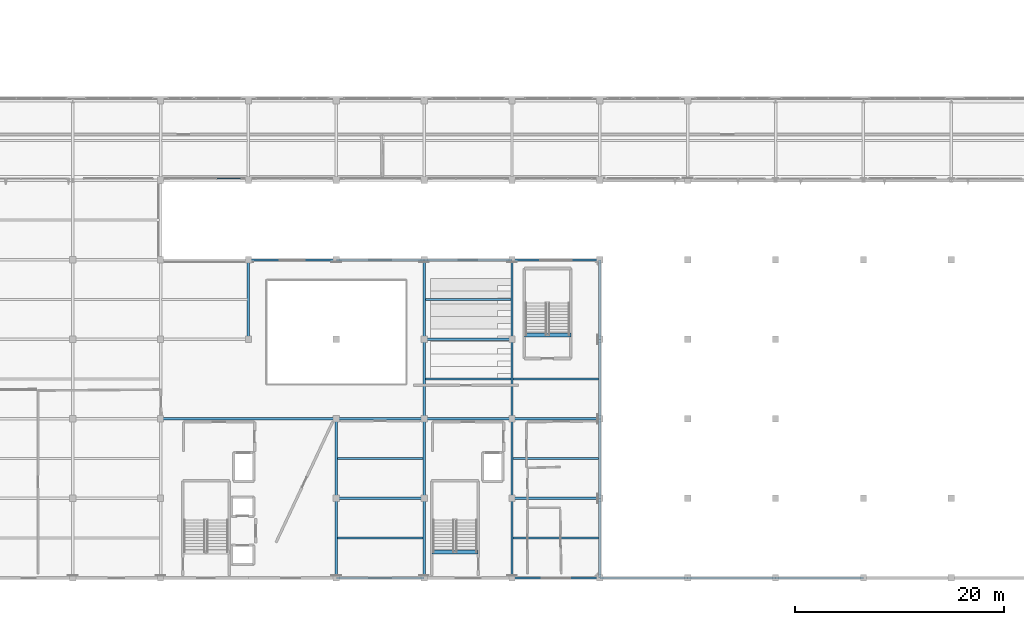
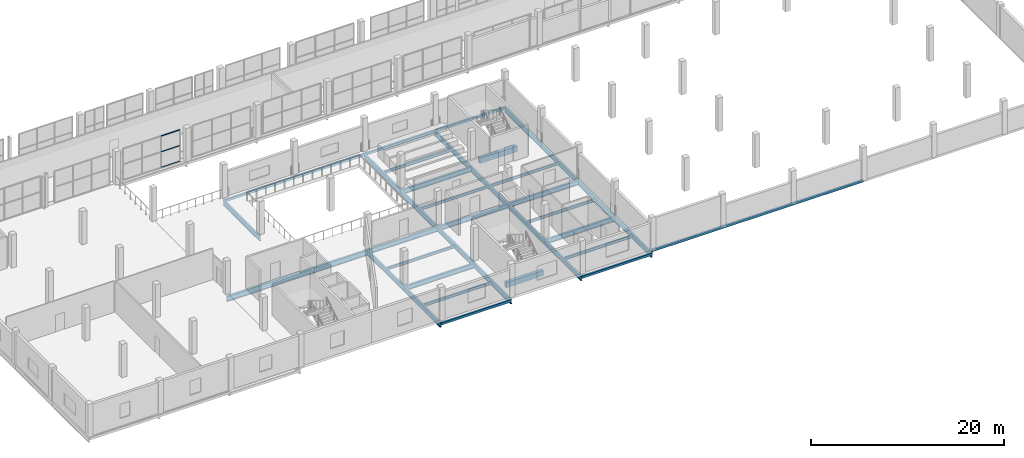
# One storey, part 35 of 151: 40 beams, 3 members, 1 element without a shape of its own.
"""IFC4 building model written with IfcOpenShell, lengths in metres."""

from ifc_helpers import new_model, si_unit, direction, frame, origin, origin_2d, place, context, subcontext, project, spatial, rectangle, hollow_rectangle, i_section, extrude, material, material_profile, profile_set, type_object, element, aggregate, save


model = new_model("IFC4")

# Units and contexts
model_context = context("Model", 3, precision=1e-05, world=origin(), true_north=direction((0.0, 1.0)))
body_context = subcontext(model_context, "Body", "Model", "MODEL_VIEW")
ifc_project = project(units=[si_unit("LENGTHUNIT", "METRE"), si_unit("AREAUNIT", "SQUARE_METRE"), si_unit("VOLUMEUNIT", "CUBIC_METRE"), si_unit("PLANEANGLEUNIT", "RADIAN"), si_unit("MASSUNIT", "GRAM", prefix="KILO")], contexts=[model_context])

# Site, building, storey
site_placement = place(None, origin())
site = spatial("IfcSite", under=ifc_project, at=site_placement, CompositionType="ELEMENT")
building_placement = place(site_placement, origin())
building = spatial("IfcBuilding", under=site, at=building_placement, Name="Zuvorla Pavilion Media Centre", CompositionType="ELEMENT")
storey_placement = place(building_placement, frame((0.0, 0.0, 13.800048828125)))
storey = spatial("IfcBuildingStorey", under=building, at=storey_placement, Name="L03", CompositionType="ELEMENT", Elevation=13.800048828125)

# Beams
ifc_material_1 = material(Name="Concrete C40/50", Category="concrete")
ifc_material_profile_1 = material_profile(ifc_material_1, rectangle(XDim=0.39990234375, YDim=0.64990234375, at=origin_2d()), Name="RC 400x650")
ifc_profile_set_1 = profile_set([ifc_material_profile_1], Name="Concrete C40/50")
beam_type_1 = type_object("IfcBeamType", Name="BM-RC-650", PredefinedType="BEAM", material=ifc_profile_set_1)
for number, where, z_axis, x_axis, name in (
    (1, (92.72998046875, 8.469970703125, -0.323974609375), (1.0, 0.0, 0.0), (0.0, 1.0, 0.0), "L03 ST-02 landing trimmer beam"),
    (2, (101.580078125, 29.219970703125, -0.323974609375), (1.0, 0.0, 0.0), (0.0, 1.0, 0.0), "L03 ST-04 landing trimmer beam"),
):
    element("IfcBeam", number, at=place(storey_placement, frame(where, z_axis=z_axis, x_axis=x_axis)), inside=storey, type_object=beam_type_1, Name=name, PredefinedType="BEAM", context=body_context, shape_type="SweptSolid", body=[
        extrude(rectangle(XDim=0.39990234375, YDim=0.64990234375, at=origin_2d()), origin(), (0.0, 0.0, 1.0), 4.43994140625),
    ])
ifc_material_2 = material(Name="Steel S355", Category="steel")
ifc_material_profile_2 = material_profile(ifc_material_2, hollow_rectangle(XDim=0.199951171875, YDim=0.300048828125, WallThickness=0.012451171875, at=origin_2d()), Name="RHS 300x200x12.5")
ifc_profile_set_2 = profile_set([ifc_material_profile_2], Name="Steel S355")
beam_type_2 = type_object("IfcBeamType", Name="BM-SP-RHS300", PredefinedType="SPANDREL", material=ifc_profile_set_2)
beam_1_placement = place(storey_placement, frame((83.60009765625, 6.0, -0.578125), z_axis=(1.0, 0.0, 0.0), x_axis=(0.0, 1.0, 0.0)))
element("IfcBeam", 3, at=beam_1_placement, inside=storey, type_object=beam_type_2, Name="L03 spandrel SP01 1049", PredefinedType="SPANDREL", context=body_context, shape_type="SweptSolid", body=[
    extrude(hollow_rectangle(XDim=0.199951171875, YDim=0.300048828125, WallThickness=0.012451171875, at=origin_2d()), origin(), (0.0, 0.0, 1.0), 8.39990234375),
])
for number, where, z_axis, x_axis, name in (
    (4, (100.39990234375, 6.0, -0.578125), (1.0, 0.0, 0.0), (0.0, 1.0, 0.0), "L03 spandrel SP01 1050"),
    (5, (75.199951171875, 36.39990234375, -0.578125), (1.0, 0.0, 0.0), (0.0, 1.0, 0.0), "L03 spandrel SP01 1071"),
):
    element("IfcBeam", number, at=place(storey_placement, frame(where, z_axis=z_axis, x_axis=x_axis)), inside=storey, type_object=beam_type_2, Name=name, PredefinedType="SPANDREL", context=body_context, shape_type="SweptSolid", body=[
        extrude(hollow_rectangle(XDim=0.199951171875, YDim=0.300048828125, WallThickness=0.012451171875, at=origin_2d()), origin(), (0.0, 0.0, 1.0), 8.400146484375),
    ])
for number, where, z_axis, x_axis, name in (
    (6, (83.60009765625, 36.39990234375, -0.578125), (1.0, 0.0, 0.0), (0.0, 1.0, 0.0), "L03 spandrel SP01 1072"),
    (7, (92.0, 36.39990234375, -0.578125), (1.0, 0.0, 0.0), (0.0, 1.0, 0.0), "L03 spandrel SP01 1073"),
):
    element("IfcBeam", number, at=place(storey_placement, frame(where, z_axis=z_axis, x_axis=x_axis)), inside=storey, type_object=beam_type_2, Name=name, PredefinedType="SPANDREL", context=body_context, shape_type="SweptSolid", body=[
        extrude(hollow_rectangle(XDim=0.199951171875, YDim=0.300048828125, WallThickness=0.012451171875, at=origin_2d()), origin(), (0.0, 0.0, 1.0), 8.39990234375),
    ])
beam_2_placement = place(storey_placement, frame((100.39990234375, 36.39990234375, -0.578125), z_axis=(1.0, 0.0, 0.0), x_axis=(0.0, 1.0, 0.0)))
element("IfcBeam", 8, at=beam_2_placement, inside=storey, type_object=beam_type_2, Name="L03 spandrel SP01 1074", PredefinedType="SPANDREL", context=body_context, shape_type="SweptSolid", body=[
    extrude(hollow_rectangle(XDim=0.199951171875, YDim=0.300048828125, WallThickness=0.012451171875, at=origin_2d()), origin(), (0.0, 0.0, 1.0), 8.400146484375),
])
beam_3_placement = place(storey_placement, frame((108.800048828125, 6.0, -0.150146484375), z_axis=(1.0, 0.0, 0.0), x_axis=(0.0, 1.0, 0.0)))
element("IfcBeam", 9, at=beam_3_placement, inside=storey, type_object=beam_type_2, Name="L03 spandrel SP01 1768", PredefinedType="SPANDREL", context=body_context, shape_type="SweptSolid", body=[
    extrude(hollow_rectangle(XDim=0.199951171875, YDim=0.300048828125, WallThickness=0.012451171875, at=origin_2d()), origin(), (0.0, 0.0, 1.0), 8.39990234375),
])
beam_4_placement = place(storey_placement, frame((117.199951171875, 6.0, -0.150146484375), z_axis=(1.0, 0.0, 0.0), x_axis=(0.0, 1.0, 0.0)))
element("IfcBeam", 10, at=beam_4_placement, inside=storey, type_object=beam_type_2, Name="L03 spandrel SP01 1769", PredefinedType="SPANDREL", context=body_context, shape_type="SweptSolid", body=[
    extrude(hollow_rectangle(XDim=0.199951171875, YDim=0.300048828125, WallThickness=0.012451171875, at=origin_2d()), origin(), (0.0, 0.0, 1.0), 8.400146484375),
])
beam_5_placement = place(storey_placement, frame((125.60009765625, 6.0, -0.150146484375), z_axis=(1.0, 0.0, 0.0), x_axis=(0.0, 1.0, 0.0)))
element("IfcBeam", 11, at=beam_5_placement, inside=storey, type_object=beam_type_2, Name="L03 spandrel SP01 1770", PredefinedType="SPANDREL", context=body_context, shape_type="SweptSolid", body=[
    extrude(hollow_rectangle(XDim=0.199951171875, YDim=0.300048828125, WallThickness=0.012451171875, at=origin_2d()), origin(), (0.0, 0.0, 1.0), 8.39990234375),
])
ifc_material_profile_3 = material_profile(ifc_material_2, i_section(OverallWidth=0.172119140625, OverallDepth=0.35791015625, WebThickness=0.008056640625, FlangeThickness=0.012939453125, FilletRadius=0.01025390625, at=origin_2d()), Name="UB 356x171x57")
ifc_profile_set_3 = profile_set([ifc_material_profile_3], Name="Steel S355")
beam_type_3 = type_object("IfcBeamType", Name="BM-UB356", PredefinedType="JOIST", material=ifc_profile_set_3)
for number, where, z_axis, x_axis, name in (
    (12, (83.70947265625, 9.800048828125, -0.60693359375), (1.0, 0.0, 0.0), (0.0, 1.0, 0.0), "L03 joist J03 1265"),
    (13, (83.70947265625, 17.39990234375, -0.60693359375), (1.0, 0.0, 0.0), (0.0, 1.0, 0.0), "L03 joist J03 1266"),
    (14, (92.109619140625, 25.0, -0.60693359375), (1.0, 0.0, 0.0), (0.0, 1.0, 0.0), "L03 joist J03 1269"),
    (15, (92.109619140625, 32.60009765625, -0.60693359375), (1.0, 0.0, 0.0), (0.0, 1.0, 0.0), "L03 joist J03 1270"),
    (16, (100.509521484375, 9.800048828125, -0.60693359375), (1.0, 0.0, 0.0), (0.0, 1.0, 0.0), "L03 joist J03 1272"),
    (17, (100.509521484375, 17.39990234375, -0.60693359375), (1.0, 0.0, 0.0), (0.0, 1.0, 0.0), "L03 joist J03 1273"),
    (18, (100.509521484375, 25.0, -0.60693359375), (1.0, 0.0, 0.0), (0.0, 1.0, 0.0), "L03 joist J03 1274"),
):
    element("IfcBeam", number, at=place(storey_placement, frame(where, z_axis=z_axis, x_axis=x_axis)), inside=storey, type_object=beam_type_3, Name=name, PredefinedType="JOIST", context=body_context, shape_type="SweptSolid", body=[
        extrude(i_section(OverallWidth=0.172119140625, OverallDepth=0.35791015625, WebThickness=0.008056640625, FlangeThickness=0.012939453125, FilletRadius=0.01025390625, at=origin_2d()), origin(), (0.0, 0.0, 1.0), 8.180908203125),
    ])
ifc_material_profile_4 = material_profile(ifc_material_2, i_section(OverallWidth=0.22900390625, OverallDepth=0.6123046875, WebThickness=0.011962890625, FlangeThickness=0.01953125, FilletRadius=0.0126953125, at=origin_2d()), Name="UB 610x229x125")
ifc_profile_set_4 = profile_set([ifc_material_profile_4], Name="Steel S355")
beam_type_4 = type_object("IfcBeamType", Name="BM-UB610", PredefinedType="BEAM", material=ifc_profile_set_4)
beam_6_placement = place(storey_placement, frame((83.60009765625, 13.60009765625, -0.734130859375), z_axis=(1.0, 0.0, 0.0), x_axis=(0.0, 1.0, 0.0)))
element("IfcBeam", 19, at=beam_6_placement, inside=storey, type_object=beam_type_4, Name="L03 beam B07 1054", PredefinedType="BEAM", context=body_context, shape_type="SweptSolid", body=[
    extrude(i_section(OverallWidth=0.22900390625, OverallDepth=0.6123046875, WebThickness=0.011962890625, FlangeThickness=0.01953125, FilletRadius=0.0126953125, at=origin_2d()), origin(), (0.0, 0.0, 1.0), 8.39990234375),
])
beam_7_placement = place(storey_placement, frame((100.39990234375, 13.60009765625, -0.734130859375), z_axis=(1.0, 0.0, 0.0), x_axis=(0.0, 1.0, 0.0)))
element("IfcBeam", 20, at=beam_7_placement, inside=storey, type_object=beam_type_4, Name="L03 beam B07 1055", PredefinedType="BEAM", context=body_context, shape_type="SweptSolid", body=[
    extrude(i_section(OverallWidth=0.22900390625, OverallDepth=0.6123046875, WebThickness=0.011962890625, FlangeThickness=0.01953125, FilletRadius=0.0126953125, at=origin_2d()), origin(), (0.0, 0.0, 1.0), 8.400146484375),
])
for number, where, z_axis, x_axis, name in (
    (21, (83.60009765625, 21.199951171875, -0.734130859375), (1.0, 0.0, 0.0), (0.0, 1.0, 0.0), "L03 beam B07 1060"),
    (22, (92.0, 21.199951171875, -0.734130859375), (1.0, 0.0, 0.0), (0.0, 1.0, 0.0), "L03 beam B07 1061"),
):
    element("IfcBeam", number, at=place(storey_placement, frame(where, z_axis=z_axis, x_axis=x_axis)), inside=storey, type_object=beam_type_4, Name=name, PredefinedType="BEAM", context=body_context, shape_type="SweptSolid", body=[
        extrude(i_section(OverallWidth=0.22900390625, OverallDepth=0.6123046875, WebThickness=0.011962890625, FlangeThickness=0.01953125, FilletRadius=0.0126953125, at=origin_2d()), origin(), (0.0, 0.0, 1.0), 8.39990234375),
    ])
beam_8_placement = place(storey_placement, frame((100.39990234375, 21.199951171875, -0.734130859375), z_axis=(1.0, 0.0, 0.0), x_axis=(0.0, 1.0, 0.0)))
element("IfcBeam", 23, at=beam_8_placement, inside=storey, type_object=beam_type_4, Name="L03 beam B07 1062", PredefinedType="BEAM", context=body_context, shape_type="SweptSolid", body=[
    extrude(i_section(OverallWidth=0.22900390625, OverallDepth=0.6123046875, WebThickness=0.011962890625, FlangeThickness=0.01953125, FilletRadius=0.0126953125, at=origin_2d()), origin(), (0.0, 0.0, 1.0), 8.400146484375),
])
beam_9_placement = place(storey_placement, frame((92.0, 28.800048828125, -0.734130859375), z_axis=(1.0, 0.0, 0.0), x_axis=(0.0, 1.0, 0.0)))
element("IfcBeam", 24, at=beam_9_placement, inside=storey, type_object=beam_type_4, Name="L03 beam B07 1067", PredefinedType="BEAM", context=body_context, shape_type="SweptSolid", body=[
    extrude(i_section(OverallWidth=0.22900390625, OverallDepth=0.6123046875, WebThickness=0.011962890625, FlangeThickness=0.01953125, FilletRadius=0.0126953125, at=origin_2d()), origin(), (0.0, 0.0, 1.0), 8.39990234375),
])
beam_10_placement = place(storey_placement, frame((75.199951171875, 28.800048828125, -0.734130859375), z_axis=(0.0, 1.0, 0.0), x_axis=(-1.0, 0.0, 0.0)))
element("IfcBeam", 25, at=beam_10_placement, inside=storey, type_object=beam_type_4, Name="L03 beam B07 1187", PredefinedType="BEAM", context=body_context, shape_type="SweptSolid", body=[
    extrude(i_section(OverallWidth=0.22900390625, OverallDepth=0.6123046875, WebThickness=0.011962890625, FlangeThickness=0.01953125, FilletRadius=0.0126953125, at=origin_2d()), origin(), (0.0, 0.0, 1.0), 7.599853515625),
])
beam_11_placement = place(storey_placement, frame((83.60009765625, 6.0, -0.734130859375), z_axis=(0.0, 1.0, 0.0), x_axis=(-1.0, 0.0, 0.0)))
element("IfcBeam", 26, at=beam_11_placement, inside=storey, type_object=beam_type_4, Name="L03 beam B07 1190", PredefinedType="BEAM", context=body_context, shape_type="SweptSolid", body=[
    extrude(i_section(OverallWidth=0.22900390625, OverallDepth=0.6123046875, WebThickness=0.011962890625, FlangeThickness=0.01953125, FilletRadius=0.0126953125, at=origin_2d()), origin(), (0.0, 0.0, 1.0), 7.60009765625),
])
beam_12_placement = place(storey_placement, frame((83.60009765625, 13.60009765625, -0.734130859375), z_axis=(0.0, 1.0, 0.0), x_axis=(-1.0, 0.0, 0.0)))
element("IfcBeam", 27, at=beam_12_placement, inside=storey, type_object=beam_type_4, Name="L03 beam B07 1191", PredefinedType="BEAM", context=body_context, shape_type="SweptSolid", body=[
    extrude(i_section(OverallWidth=0.22900390625, OverallDepth=0.6123046875, WebThickness=0.011962890625, FlangeThickness=0.01953125, FilletRadius=0.0126953125, at=origin_2d()), origin(), (0.0, 0.0, 1.0), 7.599853515625),
])
beam_13_placement = place(storey_placement, frame((92.0, 6.0, -0.734130859375), z_axis=(0.0, 1.0, 0.0), x_axis=(-1.0, 0.0, 0.0)))
element("IfcBeam", 28, at=beam_13_placement, inside=storey, type_object=beam_type_4, Name="L03 beam B07 1194", PredefinedType="BEAM", context=body_context, shape_type="SweptSolid", body=[
    extrude(i_section(OverallWidth=0.22900390625, OverallDepth=0.6123046875, WebThickness=0.011962890625, FlangeThickness=0.01953125, FilletRadius=0.0126953125, at=origin_2d()), origin(), (0.0, 0.0, 1.0), 7.60009765625),
])
beam_14_placement = place(storey_placement, frame((92.0, 13.60009765625, -0.734130859375), z_axis=(0.0, 1.0, 0.0), x_axis=(-1.0, 0.0, 0.0)))
element("IfcBeam", 29, at=beam_14_placement, inside=storey, type_object=beam_type_4, Name="L03 beam B07 1195", PredefinedType="BEAM", context=body_context, shape_type="SweptSolid", body=[
    extrude(i_section(OverallWidth=0.22900390625, OverallDepth=0.6123046875, WebThickness=0.011962890625, FlangeThickness=0.01953125, FilletRadius=0.0126953125, at=origin_2d()), origin(), (0.0, 0.0, 1.0), 7.599853515625),
])
beam_15_placement = place(storey_placement, frame((92.0, 21.199951171875, -0.734130859375), z_axis=(0.0, 1.0, 0.0), x_axis=(-1.0, 0.0, 0.0)))
element("IfcBeam", 30, at=beam_15_placement, inside=storey, type_object=beam_type_4, Name="L03 beam B07 1196", PredefinedType="BEAM", context=body_context, shape_type="SweptSolid", body=[
    extrude(i_section(OverallWidth=0.22900390625, OverallDepth=0.6123046875, WebThickness=0.011962890625, FlangeThickness=0.01953125, FilletRadius=0.0126953125, at=origin_2d()), origin(), (0.0, 0.0, 1.0), 7.60009765625),
])
beam_16_placement = place(storey_placement, frame((92.0, 28.800048828125, -0.734130859375), z_axis=(0.0, 1.0, 0.0), x_axis=(-1.0, 0.0, 0.0)))
element("IfcBeam", 31, at=beam_16_placement, inside=storey, type_object=beam_type_4, Name="L03 beam B07 1197", PredefinedType="BEAM", context=body_context, shape_type="SweptSolid", body=[
    extrude(i_section(OverallWidth=0.22900390625, OverallDepth=0.6123046875, WebThickness=0.011962890625, FlangeThickness=0.01953125, FilletRadius=0.0126953125, at=origin_2d()), origin(), (0.0, 0.0, 1.0), 7.599853515625),
])
beam_17_placement = place(storey_placement, frame((100.39990234375, 6.0, -0.734130859375), z_axis=(0.0, 1.0, 0.0), x_axis=(-1.0, 0.0, 0.0)))
element("IfcBeam", 32, at=beam_17_placement, inside=storey, type_object=beam_type_4, Name="L03 beam B07 1200", PredefinedType="BEAM", context=body_context, shape_type="SweptSolid", body=[
    extrude(i_section(OverallWidth=0.22900390625, OverallDepth=0.6123046875, WebThickness=0.011962890625, FlangeThickness=0.01953125, FilletRadius=0.0126953125, at=origin_2d()), origin(), (0.0, 0.0, 1.0), 7.60009765625),
])
beam_18_placement = place(storey_placement, frame((100.39990234375, 13.60009765625, -0.734130859375), z_axis=(0.0, 1.0, 0.0), x_axis=(-1.0, 0.0, 0.0)))
element("IfcBeam", 33, at=beam_18_placement, inside=storey, type_object=beam_type_4, Name="L03 beam B07 1201", PredefinedType="BEAM", context=body_context, shape_type="SweptSolid", body=[
    extrude(i_section(OverallWidth=0.22900390625, OverallDepth=0.6123046875, WebThickness=0.011962890625, FlangeThickness=0.01953125, FilletRadius=0.0126953125, at=origin_2d()), origin(), (0.0, 0.0, 1.0), 7.599853515625),
])
beam_19_placement = place(storey_placement, frame((100.39990234375, 21.199951171875, -0.734130859375), z_axis=(0.0, 1.0, 0.0), x_axis=(-1.0, 0.0, 0.0)))
element("IfcBeam", 34, at=beam_19_placement, inside=storey, type_object=beam_type_4, Name="L03 beam B07 1202", PredefinedType="BEAM", context=body_context, shape_type="SweptSolid", body=[
    extrude(i_section(OverallWidth=0.22900390625, OverallDepth=0.6123046875, WebThickness=0.011962890625, FlangeThickness=0.01953125, FilletRadius=0.0126953125, at=origin_2d()), origin(), (0.0, 0.0, 1.0), 7.60009765625),
])
beam_20_placement = place(storey_placement, frame((100.39990234375, 28.800048828125, -0.734130859375), z_axis=(0.0, 1.0, 0.0), x_axis=(-1.0, 0.0, 0.0)))
element("IfcBeam", 35, at=beam_20_placement, inside=storey, type_object=beam_type_4, Name="L03 beam B07 1203", PredefinedType="BEAM", context=body_context, shape_type="SweptSolid", body=[
    extrude(i_section(OverallWidth=0.22900390625, OverallDepth=0.6123046875, WebThickness=0.011962890625, FlangeThickness=0.01953125, FilletRadius=0.0126953125, at=origin_2d()), origin(), (0.0, 0.0, 1.0), 7.599853515625),
])
beam_21_placement = place(storey_placement, frame((108.800048828125, 6.0, -0.734130859375), z_axis=(0.0, 1.0, 0.0), x_axis=(-1.0, 0.0, 0.0)))
element("IfcBeam", 36, at=beam_21_placement, inside=storey, type_object=beam_type_4, Name="L03 beam B07 1206", PredefinedType="BEAM", context=body_context, shape_type="SweptSolid", body=[
    extrude(i_section(OverallWidth=0.22900390625, OverallDepth=0.6123046875, WebThickness=0.011962890625, FlangeThickness=0.01953125, FilletRadius=0.0126953125, at=origin_2d()), origin(), (0.0, 0.0, 1.0), 7.60009765625),
])
beam_22_placement = place(storey_placement, frame((108.800048828125, 13.60009765625, -0.734130859375), z_axis=(0.0, 1.0, 0.0), x_axis=(-1.0, 0.0, 0.0)))
element("IfcBeam", 37, at=beam_22_placement, inside=storey, type_object=beam_type_4, Name="L03 beam B07 1207", PredefinedType="BEAM", context=body_context, shape_type="SweptSolid", body=[
    extrude(i_section(OverallWidth=0.22900390625, OverallDepth=0.6123046875, WebThickness=0.011962890625, FlangeThickness=0.01953125, FilletRadius=0.0126953125, at=origin_2d()), origin(), (0.0, 0.0, 1.0), 7.599853515625),
])
beam_23_placement = place(storey_placement, frame((108.800048828125, 21.199951171875, -0.734130859375), z_axis=(0.0, 1.0, 0.0), x_axis=(-1.0, 0.0, 0.0)))
element("IfcBeam", 38, at=beam_23_placement, inside=storey, type_object=beam_type_4, Name="L03 beam B07 1208", PredefinedType="BEAM", context=body_context, shape_type="SweptSolid", body=[
    extrude(i_section(OverallWidth=0.22900390625, OverallDepth=0.6123046875, WebThickness=0.011962890625, FlangeThickness=0.01953125, FilletRadius=0.0126953125, at=origin_2d()), origin(), (0.0, 0.0, 1.0), 7.60009765625),
])
beam_24_placement = place(storey_placement, frame((108.800048828125, 28.800048828125, -0.734130859375), z_axis=(0.0, 1.0, 0.0), x_axis=(-1.0, 0.0, 0.0)))
element("IfcBeam", 39, at=beam_24_placement, inside=storey, type_object=beam_type_4, Name="L03 beam B07 1209", PredefinedType="BEAM", context=body_context, shape_type="SweptSolid", body=[
    extrude(i_section(OverallWidth=0.22900390625, OverallDepth=0.6123046875, WebThickness=0.011962890625, FlangeThickness=0.01953125, FilletRadius=0.0126953125, at=origin_2d()), origin(), (0.0, 0.0, 1.0), 7.599853515625),
])
ifc_material_profile_5 = material_profile(ifc_material_2, i_section(OverallWidth=0.25439453125, OverallDepth=0.6875, WebThickness=0.01318359375, FlangeThickness=0.02099609375, FilletRadius=0.01513671875, at=origin_2d()), Name="UB 686x254x152")
ifc_profile_set_5 = profile_set([ifc_material_profile_5], Name="Steel S355")
beam_type_5 = type_object("IfcBeamType", Name="BM-UB686", PredefinedType="BEAM", material=ifc_profile_set_5)
beam_25_placement = place(storey_placement, frame((66.800048828125, 21.199951171875, -0.771728515625), z_axis=(1.0, 0.0, 0.0), x_axis=(0.0, 1.0, 0.0)))
element("IfcBeam", 40, at=beam_25_placement, inside=storey, type_object=beam_type_5, Name="L03 beam B06 1059", PredefinedType="BEAM", context=body_context, shape_type="SweptSolid", body=[
    extrude(i_section(OverallWidth=0.25439453125, OverallDepth=0.6875, WebThickness=0.01318359375, FlangeThickness=0.02099609375, FilletRadius=0.01513671875, at=origin_2d()), origin(), (0.0, 0.0, 1.0), 16.800048828125),
])

# Curtain wall, members
ifc_material_3 = material(Name="Unitised anodised aluminium and solar glass curtain wall", Category="aluminium")
curtain_wall_type = type_object("IfcCurtainWallType", Name="CW-SYS-69", PredefinedType="USERDEFINED", material=ifc_material_3)
curtain_wall_placement = place(storey_placement, origin())
curtain_wall = element("IfcCurtainWall", 41, at=curtain_wall_placement, inside=storey, type_object=curtain_wall_type, Name="L03 curtain wall CW69 137", ObjectType="CURTAIN WALL", PredefinedType="USERDEFINED")
ifc_material_4 = material(Name="Anodised aluminium 6063-T6", Category="aluminium")
ifc_material_profile_6 = material_profile(ifc_material_4, hollow_rectangle(XDim=0.10009765625, YDim=0.10009765625, WallThickness=0.00439453125, at=origin_2d()), Name="ALU TRAN 100x100")
ifc_profile_set_6 = profile_set([ifc_material_profile_6], Name="Anodised aluminium 6063-T6")
member_type = type_object("IfcMemberType", Name="CW-TRAN-100", PredefinedType="USERDEFINED", material=ifc_profile_set_6)
member_1_placement = place(storey_placement, frame((72.18212890625, 44.159912109375, 0.0), z_axis=(1.0, 0.0, 0.0), x_axis=(0.0, 1.0, 0.0)))
member_1 = element("IfcMember", 42, at=member_1_placement, type_object=member_type, Name="CW69 transom 3.1", ObjectType="TRANSOM", PredefinedType="USERDEFINED", context=body_context, shape_type="SweptSolid", body=[
    extrude(hollow_rectangle(XDim=0.10009765625, YDim=0.10009765625, WallThickness=0.00439453125, at=origin_2d()), origin(), (0.0, 0.0, 1.0), 2.273681640625),
])
member_2_placement = place(storey_placement, frame((72.18212890625, 44.159912109375, 1.97998046875), z_axis=(1.0, 0.0, 0.0), x_axis=(0.0, 1.0, 0.0)))
member_2 = element("IfcMember", 43, at=member_2_placement, type_object=member_type, Name="CW69 transom 3.2", ObjectType="TRANSOM", PredefinedType="USERDEFINED", context=body_context, shape_type="SweptSolid", body=[
    extrude(hollow_rectangle(XDim=0.10009765625, YDim=0.10009765625, WallThickness=0.00439453125, at=origin_2d()), origin(), (0.0, 0.0, 1.0), 2.273681640625),
])
member_3_placement = place(storey_placement, frame((72.18212890625, 44.159912109375, 3.9599609375), z_axis=(1.0, 0.0, 0.0), x_axis=(0.0, 1.0, 0.0)))
member_3 = element("IfcMember", 44, at=member_3_placement, type_object=member_type, Name="CW69 transom 3.3", ObjectType="TRANSOM", PredefinedType="USERDEFINED", context=body_context, shape_type="SweptSolid", body=[
    extrude(hollow_rectangle(XDim=0.10009765625, YDim=0.10009765625, WallThickness=0.00439453125, at=origin_2d()), origin(), (0.0, 0.0, 1.0), 2.273681640625),
])
aggregate(curtain_wall, [member_1, member_2, member_3])

save(model, "model.ifc")
